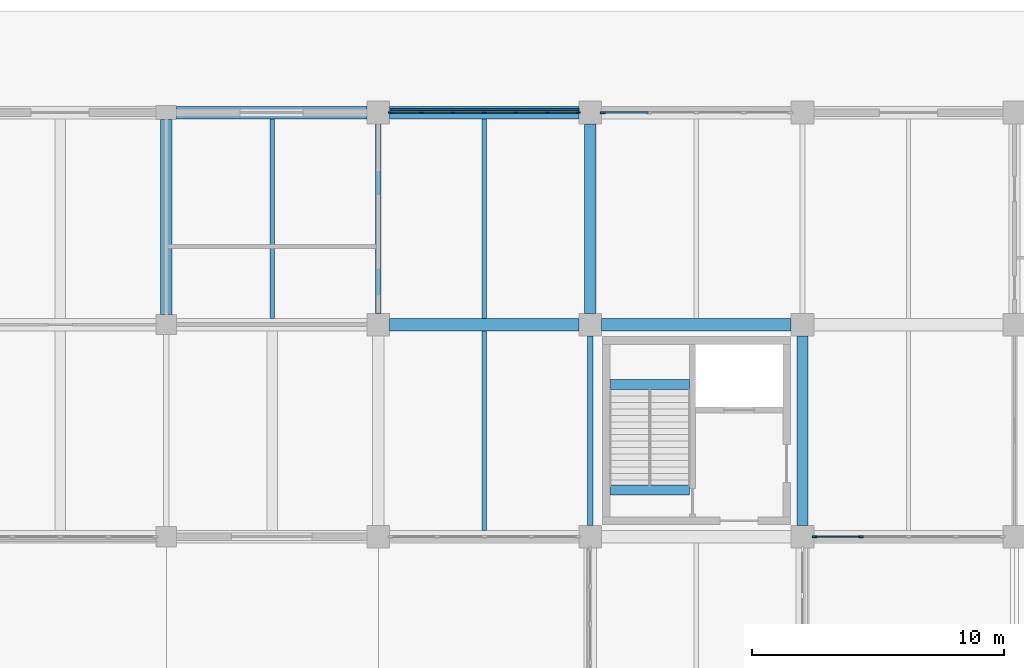
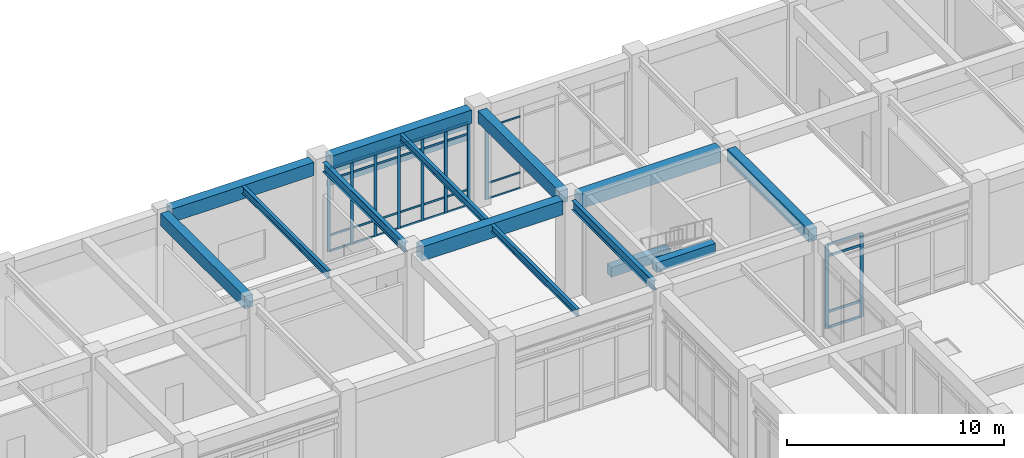
# One storey, part 23 of 91: 43 members, 14 beams, 3 elements without a shape of their own.
"""IFC4 building model written with IfcOpenShell, lengths in metres."""

from ifc_helpers import new_model, si_unit, direction, frame, origin, origin_2d, place, context, subcontext, project, spatial, rectangle, i_section, extrude, material, layer, layer_set, material_profile, profile_set, type_object, element, aggregate, save


model = new_model("IFC4")

# Units and contexts
model_context = context("Model", 3, precision=1e-05, world=origin(), true_north=direction((0.0, 1.0)))
body_context = subcontext(model_context, "Body", "Model", "MODEL_VIEW")
ifc_project = project(units=[si_unit("LENGTHUNIT", "METRE"), si_unit("AREAUNIT", "SQUARE_METRE"), si_unit("VOLUMEUNIT", "CUBIC_METRE"), si_unit("PLANEANGLEUNIT", "RADIAN"), si_unit("MASSUNIT", "GRAM", prefix="KILO")], contexts=[model_context])

# Site, building, storey
site_placement = place(None, origin())
site = spatial("IfcSite", under=ifc_project, at=site_placement, CompositionType="ELEMENT")
building_placement = place(site_placement, origin())
building = spatial("IfcBuilding", under=site, at=building_placement, Name="Porcellanite Civic Hall", CompositionType="ELEMENT")
storey_placement = place(building_placement, origin())
storey = spatial("IfcBuildingStorey", under=building, at=storey_placement, Name="L00", CompositionType="ELEMENT", Elevation=0.0)

# Beams
ifc_material_1 = material(Name="Concrete N50 (50 MPa)", Category="concrete")
ifc_material_profile_1 = material_profile(ifc_material_1, rectangle(XDim=0.39990234375, YDim=0.550048828125, at=origin_2d()), Name="RC-400x550")
ifc_profile_set_1 = profile_set([ifc_material_profile_1], Name="Concrete N50 (50 MPa)")
beam_type_1 = type_object("IfcBeamType", Name="BM-RC550", PredefinedType="JOIST", material=ifc_profile_set_1)
for number, where, z_axis, x_axis, name in (
    (1, (51.180419921875, 106.824951171875, 2.425048828125), (1.0, 0.0, 0.0), (0.0, 1.0, 0.0), "Stair landing beam C3 L00"),
    (2, (51.180419921875, 102.64990234375, 5.22509765625), (1.0, 0.0, 0.0), (0.0, 1.0, 0.0), "Stair header beam C3 L00"),
):
    element("IfcBeam", number, at=place(storey_placement, frame(where, z_axis=z_axis, x_axis=x_axis)), inside=storey, type_object=beam_type_1, Name=name, PredefinedType="JOIST", context=body_context, shape_type="SweptSolid", body=[
        extrude(rectangle(XDim=0.39990234375, YDim=0.550048828125, at=origin_2d()), origin(), (0.0, 0.0, 1.0), 3.13916015625),
    ])
ifc_material_2 = material(Name="Concrete N50 (50 MPa)", Category="concrete")
ifc_material_profile_2 = material_profile(ifc_material_2, rectangle(XDim=0.449951171875, YDim=0.699951171875, at=origin_2d()), Name="RC-450x700")
ifc_profile_set_2 = profile_set([ifc_material_profile_2], Name="Concrete N50 (50 MPa)")
beam_type_2 = type_object("IfcBeamType", Name="BM-RC700", PredefinedType="BEAM", material=ifc_profile_set_2)
beam_1_placement = place(storey_placement, frame((33.60009765625, 109.599609375, 5.14990234375), z_axis=(0.0, 1.0, 0.0), x_axis=(-1.0, 0.0, 0.0)))
element("IfcBeam", 3, at=beam_1_placement, inside=storey, type_object=beam_type_2, Name="Beam Y L00 5-14", PredefinedType="BEAM", context=body_context, shape_type="SweptSolid", body=[
    extrude(rectangle(XDim=0.449951171875, YDim=0.699951171875, at=origin_2d()), origin(), (0.0, 0.0, 1.0), 7.725830078125),
])
for number, where, z_axis, x_axis, name in (
    (4, (50.39990234375, 109.6494140625, 5.14990234375), (0.0, 1.0, 0.0), (-1.0, 0.0, 0.0), "Beam Y L00 7-14"),
    (5, (58.800048828125, 101.24951171875, 5.14990234375), (0.0, 1.0, 0.0), (-1.0, 0.0, 0.0), "Beam Y L00 8-13"),
):
    element("IfcBeam", number, at=place(storey_placement, frame(where, z_axis=z_axis, x_axis=x_axis)), inside=storey, type_object=beam_type_2, Name=name, PredefinedType="BEAM", context=body_context, shape_type="SweptSolid", body=[
        extrude(rectangle(XDim=0.449951171875, YDim=0.699951171875, at=origin_2d()), origin(), (0.0, 0.0, 1.0), 7.5009765625),
    ])
ifc_material_3 = material(Name="Concrete N50 (50 MPa)", Category="concrete")
ifc_material_profile_3 = material_profile(ifc_material_3, rectangle(XDim=0.5, YDim=0.75, at=origin_2d()), Name="RC-500x750")
ifc_profile_set_3 = profile_set([ifc_material_profile_3], Name="Concrete N50 (50 MPa)")
beam_type_3 = type_object("IfcBeamType", Name="BM-RC750", PredefinedType="SPANDREL", material=ifc_profile_set_3)
beam_2_placement = place(storey_placement, frame((33.99951171875, 117.60009765625, 5.125), z_axis=(1.0, 0.0, 0.0), x_axis=(0.0, 1.0, 0.0)))
element("IfcBeam", 6, at=beam_2_placement, inside=storey, type_object=beam_type_3, Name="Beam X L00 5-15", PredefinedType="SPANDREL", context=body_context, shape_type="SweptSolid", body=[
    extrude(rectangle(XDim=0.5, YDim=0.75, at=origin_2d()), origin(), (0.0, 0.0, 1.0), 7.551025390625),
])
beam_3_placement = place(storey_placement, frame((42.449462890625, 117.60009765625, 5.125), z_axis=(1.0, 0.0, 0.0), x_axis=(0.0, 1.0, 0.0)))
element("IfcBeam", 7, at=beam_3_placement, inside=storey, type_object=beam_type_3, Name="Beam X L00 6-15", PredefinedType="SPANDREL", context=body_context, shape_type="SweptSolid", body=[
    extrude(rectangle(XDim=0.5, YDim=0.75, at=origin_2d()), origin(), (0.0, 0.0, 1.0), 7.5009765625),
])
ifc_material_4 = material(Name="Concrete N50 (50 MPa)", Category="concrete")
ifc_material_profile_4 = material_profile(ifc_material_4, rectangle(XDim=0.5, YDim=0.800048828125, at=origin_2d()), Name="RC-500x800")
ifc_profile_set_4 = profile_set([ifc_material_profile_4], Name="Concrete N50 (50 MPa)")
beam_type_4 = type_object("IfcBeamType", Name="BM-RC800", PredefinedType="BEAM", material=ifc_profile_set_4)
for number, where, z_axis, x_axis, name in (
    (8, (42.449462890625, 109.199951171875, 5.10009765625), (1.0, 0.0, 0.0), (0.0, 1.0, 0.0), "Beam X L00 6-14"),
    (9, (50.849609375, 109.199951171875, 5.10009765625), (1.0, 0.0, 0.0), (0.0, 1.0, 0.0), "Beam X L00 7-14"),
):
    element("IfcBeam", number, at=place(storey_placement, frame(where, z_axis=z_axis, x_axis=x_axis)), inside=storey, type_object=beam_type_4, Name=name, PredefinedType="BEAM", context=body_context, shape_type="SweptSolid", body=[
        extrude(rectangle(XDim=0.5, YDim=0.800048828125, at=origin_2d()), origin(), (0.0, 0.0, 1.0), 7.5009765625),
    ])

# Curtain wall, member
ifc_material_5 = material(Name="Anodised aluminium and solar laminated glass", Category="aluminium")
ifc_layer_1 = layer(ifc_material_5, 0.179931640625)
ifc_layer_set_1 = layer_set([ifc_layer_1], Name="Anodised aluminium and solar laminated glass")
curtain_wall_type_1 = type_object("IfcCurtainWallType", Name="CW-SYS04", PredefinedType="NOTDEFINED", material=ifc_layer_set_1)
curtain_wall_1_placement = place(storey_placement, origin())
curtain_wall_1 = element("IfcCurtainWall", 10, at=curtain_wall_1_placement, inside=storey, type_object=curtain_wall_type_1, Name="Curtain wall CW-025", PredefinedType="NOTDEFINED")
ifc_material_6 = material(Name="Anodised aluminium 6063-T6", Category="aluminium")
ifc_material_profile_5 = material_profile(ifc_material_6, rectangle(XDim=0.074951171875, YDim=0.18994140625, at=origin_2d()), Name="AL-75x190")
ifc_profile_set_5 = profile_set([ifc_material_profile_5], Name="Anodised aluminium 6063-T6")
member_type_1 = type_object("IfcMemberType", Name="CWM-04", PredefinedType="MULLION", material=ifc_profile_set_5)
member_1_placement = place(storey_placement, frame((50.888427734375, 117.60009765625, 0.0), z_axis=(0.0, 0.0, 1.0), x_axis=(0.0, 1.0, 0.0)))
member_1 = element("IfcMember", 11, at=member_1_placement, type_object=member_type_1, Name="CW-025 mullion 1", PredefinedType="MULLION", context=body_context, shape_type="SweptSolid", body=[
    extrude(rectangle(XDim=0.074951171875, YDim=0.18994140625, at=origin_2d()), origin(), (0.0, 0.0, 1.0), 4.699951171875),
])

# Curtain wall, members
ifc_material_7 = material(Name="Anodised aluminium and solar laminated glass", Category="aluminium")
ifc_layer_2 = layer(ifc_material_7, 0.179931640625)
ifc_layer_set_2 = layer_set([ifc_layer_2], Name="Anodised aluminium and solar laminated glass")
curtain_wall_type_2 = type_object("IfcCurtainWallType", Name="CW-SYS06", PredefinedType="NOTDEFINED", material=ifc_layer_set_2)
curtain_wall_2_placement = place(storey_placement, origin())
curtain_wall_2 = element("IfcCurtainWall", 12, at=curtain_wall_2_placement, inside=storey, type_object=curtain_wall_type_2, Name="Curtain wall CW-026", PredefinedType="NOTDEFINED")
ifc_material_8 = material(Name="Anodised aluminium 6063-T6", Category="aluminium")
ifc_material_profile_6 = material_profile(ifc_material_8, rectangle(XDim=0.06494140625, YDim=0.179931640625, at=origin_2d()), Name="AL-65x180")
ifc_profile_set_6 = profile_set([ifc_material_profile_6], Name="Anodised aluminium 6063-T6")
member_type_2 = type_object("IfcMemberType", Name="CWM-06", PredefinedType="MULLION", material=ifc_profile_set_6)
member_2_placement = place(storey_placement, frame((61.12548828125, 100.800048828125, 0.0), z_axis=(0.0, 0.0, 1.0), x_axis=(0.0, -1.0, 0.0)))
member_2 = element("IfcMember", 13, at=member_2_placement, type_object=member_type_2, Name="CW-026 mullion 4", PredefinedType="MULLION", context=body_context, shape_type="SweptSolid", body=[
    extrude(rectangle(XDim=0.06494140625, YDim=0.179931640625, at=origin_2d()), origin(), (0.0, 0.0, 1.0), 4.699951171875),
])
member_3_placement = place(storey_placement, frame((59.283447265625, 100.800048828125, 0.0), z_axis=(0.0, 0.0, 1.0), x_axis=(0.0, -1.0, 0.0)))
member_3 = element("IfcMember", 14, at=member_3_placement, type_object=member_type_2, Name="CW-026 mullion 5", PredefinedType="MULLION", context=body_context, shape_type="SweptSolid", body=[
    extrude(rectangle(XDim=0.06494140625, YDim=0.179931640625, at=origin_2d()), origin(), (0.0, 0.0, 1.0), 4.699951171875),
])

ifc_material_9 = material(Name="Anodised aluminium and solar laminated glass", Category="aluminium")
ifc_layer_3 = layer(ifc_material_9, 0.179931640625)
ifc_layer_set_3 = layer_set([ifc_layer_3], Name="Anodised aluminium and solar laminated glass")
curtain_wall_type_3 = type_object("IfcCurtainWallType", Name="CW-SYS07", PredefinedType="NOTDEFINED", material=ifc_layer_set_3)
curtain_wall_3_placement = place(storey_placement, origin())
curtain_wall_3 = element("IfcCurtainWall", 15, at=curtain_wall_3_placement, inside=storey, type_object=curtain_wall_type_3, Name="Curtain wall CW-015", PredefinedType="NOTDEFINED")
ifc_material_10 = material(Name="Anodised aluminium 6063-T6", Category="aluminium")
ifc_material_profile_7 = material_profile(ifc_material_10, rectangle(XDim=0.06005859375, YDim=0.159912109375, at=origin_2d()), Name="AL-60x160")
ifc_profile_set_7 = profile_set([ifc_material_profile_7], Name="Anodised aluminium 6063-T6")
member_type_3 = type_object("IfcMemberType", Name="CWM-07", PredefinedType="MULLION", material=ifc_profile_set_7)
member_4_placement = place(storey_placement, frame((42.48095703125, 117.60009765625, 0.0), z_axis=(0.0, 0.0, 1.0), x_axis=(0.0, 1.0, 0.0)))
member_4 = element("IfcMember", 16, at=member_4_placement, type_object=member_type_3, Name="CW-015 mullion 1", PredefinedType="MULLION", context=body_context, shape_type="SweptSolid", body=[
    extrude(rectangle(XDim=0.06005859375, YDim=0.159912109375, at=origin_2d()), origin(), (0.0, 0.0, 1.0), 4.699951171875),
])
member_5_placement = place(storey_placement, frame((43.70068359375, 117.60009765625, 0.0), z_axis=(0.0, 0.0, 1.0), x_axis=(0.0, 1.0, 0.0)))
member_5 = element("IfcMember", 17, at=member_5_placement, type_object=member_type_3, Name="CW-015 mullion 2", PredefinedType="MULLION", context=body_context, shape_type="SweptSolid", body=[
    extrude(rectangle(XDim=0.06005859375, YDim=0.159912109375, at=origin_2d()), origin(), (0.0, 0.0, 1.0), 4.699951171875),
])
member_6_placement = place(storey_placement, frame((44.950439453125, 117.60009765625, 0.0), z_axis=(0.0, 0.0, 1.0), x_axis=(0.0, 1.0, 0.0)))
member_6 = element("IfcMember", 18, at=member_6_placement, type_object=member_type_3, Name="CW-015 mullion 3", PredefinedType="MULLION", context=body_context, shape_type="SweptSolid", body=[
    extrude(rectangle(XDim=0.06005859375, YDim=0.159912109375, at=origin_2d()), origin(), (0.0, 0.0, 1.0), 4.699951171875),
])
member_7_placement = place(storey_placement, frame((46.199951171875, 117.60009765625, 0.0), z_axis=(0.0, 0.0, 1.0), x_axis=(0.0, 1.0, 0.0)))
member_7 = element("IfcMember", 19, at=member_7_placement, type_object=member_type_3, Name="CW-015 mullion 4", PredefinedType="MULLION", context=body_context, shape_type="SweptSolid", body=[
    extrude(rectangle(XDim=0.06005859375, YDim=0.159912109375, at=origin_2d()), origin(), (0.0, 0.0, 1.0), 4.699951171875),
])
member_8_placement = place(storey_placement, frame((47.44970703125, 117.60009765625, 0.0), z_axis=(0.0, 0.0, 1.0), x_axis=(0.0, 1.0, 0.0)))
member_8 = element("IfcMember", 20, at=member_8_placement, type_object=member_type_3, Name="CW-015 mullion 5", PredefinedType="MULLION", context=body_context, shape_type="SweptSolid", body=[
    extrude(rectangle(XDim=0.06005859375, YDim=0.159912109375, at=origin_2d()), origin(), (0.0, 0.0, 1.0), 4.699951171875),
])
member_9_placement = place(storey_placement, frame((48.69921875, 117.60009765625, 0.0), z_axis=(0.0, 0.0, 1.0), x_axis=(0.0, 1.0, 0.0)))
member_9 = element("IfcMember", 21, at=member_9_placement, type_object=member_type_3, Name="CW-015 mullion 6", PredefinedType="MULLION", context=body_context, shape_type="SweptSolid", body=[
    extrude(rectangle(XDim=0.06005859375, YDim=0.159912109375, at=origin_2d()), origin(), (0.0, 0.0, 1.0), 4.699951171875),
])
member_10_placement = place(storey_placement, frame((49.9189453125, 117.60009765625, 0.0), z_axis=(0.0, 0.0, 1.0), x_axis=(0.0, 1.0, 0.0)))
member_10 = element("IfcMember", 22, at=member_10_placement, type_object=member_type_3, Name="CW-015 mullion 7", PredefinedType="MULLION", context=body_context, shape_type="SweptSolid", body=[
    extrude(rectangle(XDim=0.06005859375, YDim=0.159912109375, at=origin_2d()), origin(), (0.0, 0.0, 1.0), 4.699951171875),
])

# Member
ifc_material_11 = material(Name="Anodised aluminium 6063-T6", Category="aluminium")
ifc_material_profile_8 = material_profile(ifc_material_11, rectangle(XDim=0.054931640625, YDim=0.10009765625, at=origin_2d()), Name="AL-55x100")
ifc_profile_set_8 = profile_set([ifc_material_profile_8], Name="Anodised aluminium 6063-T6")
member_type_4 = type_object("IfcMemberType", Name="CWT-05", PredefinedType="USERDEFINED", material=ifc_profile_set_8)
member_11_placement = place(storey_placement, frame((50.926025390625, 117.60009765625, 0.027587890625), z_axis=(1.0, 0.0, 0.0), x_axis=(0.0, 1.0, 0.0)))
member_11 = element("IfcMember", 23, at=member_11_placement, type_object=member_type_4, Name="CW-025 transom 1.1", ObjectType="TRANSOM", PredefinedType="USERDEFINED", context=body_context, shape_type="SweptSolid", body=[
    extrude(rectangle(XDim=0.054931640625, YDim=0.10009765625, at=origin_2d()), origin(), (0.0, 0.0, 1.0), 1.761962890625),
])

member_12_placement = place(storey_placement, frame((50.926025390625, 117.60009765625, 0.89990234375), z_axis=(1.0, 0.0, 0.0), x_axis=(0.0, 1.0, 0.0)))
member_12 = element("IfcMember", 24, at=member_12_placement, type_object=member_type_4, Name="CW-025 transom 1.2", ObjectType="TRANSOM", PredefinedType="USERDEFINED", context=body_context, shape_type="SweptSolid", body=[
    extrude(rectangle(XDim=0.054931640625, YDim=0.10009765625, at=origin_2d()), origin(), (0.0, 0.0, 1.0), 1.761962890625),
])

member_13_placement = place(storey_placement, frame((50.926025390625, 117.60009765625, 4.050048828125), z_axis=(1.0, 0.0, 0.0), x_axis=(0.0, 1.0, 0.0)))
member_13 = element("IfcMember", 25, at=member_13_placement, type_object=member_type_4, Name="CW-025 transom 1.3", ObjectType="TRANSOM", PredefinedType="USERDEFINED", context=body_context, shape_type="SweptSolid", body=[
    extrude(rectangle(XDim=0.054931640625, YDim=0.10009765625, at=origin_2d()), origin(), (0.0, 0.0, 1.0), 1.761962890625),
])

aggregate(curtain_wall_1, [member_1, member_11, member_12, member_13])

ifc_material_12 = material(Name="Anodised aluminium 6063-T6", Category="aluminium")
ifc_material_profile_9 = material_profile(ifc_material_12, rectangle(XDim=0.050048828125, YDim=0.139892578125, at=origin_2d()), Name="AL-50x140")
ifc_profile_set_9 = profile_set([ifc_material_profile_9], Name="Anodised aluminium 6063-T6")
member_type_5 = type_object("IfcMemberType", Name="CWT-06", PredefinedType="USERDEFINED", material=ifc_profile_set_9)
member_14_placement = place(storey_placement, frame((61.093017578125, 100.800048828125, 0.02490234375), z_axis=(-1.0, 0.0, 0.0), x_axis=(0.0, -1.0, 0.0)))
member_14 = element("IfcMember", 26, at=member_14_placement, type_object=member_type_5, Name="CW-026 transom 4.1", ObjectType="TRANSOM", PredefinedType="USERDEFINED", context=body_context, shape_type="SweptSolid", body=[
    extrude(rectangle(XDim=0.050048828125, YDim=0.139892578125, at=origin_2d()), origin(), (0.0, 0.0, 1.0), 1.777099609375),
])

member_15_placement = place(storey_placement, frame((61.093017578125, 100.800048828125, 0.89990234375), z_axis=(-1.0, 0.0, 0.0), x_axis=(0.0, -1.0, 0.0)))
member_15 = element("IfcMember", 27, at=member_15_placement, type_object=member_type_5, Name="CW-026 transom 4.2", ObjectType="TRANSOM", PredefinedType="USERDEFINED", context=body_context, shape_type="SweptSolid", body=[
    extrude(rectangle(XDim=0.050048828125, YDim=0.139892578125, at=origin_2d()), origin(), (0.0, 0.0, 1.0), 1.777099609375),
])

member_16_placement = place(storey_placement, frame((61.093017578125, 100.800048828125, 4.050048828125), z_axis=(-1.0, 0.0, 0.0), x_axis=(0.0, -1.0, 0.0)))
member_16 = element("IfcMember", 28, at=member_16_placement, type_object=member_type_5, Name="CW-026 transom 4.3", ObjectType="TRANSOM", PredefinedType="USERDEFINED", context=body_context, shape_type="SweptSolid", body=[
    extrude(rectangle(XDim=0.050048828125, YDim=0.139892578125, at=origin_2d()), origin(), (0.0, 0.0, 1.0), 1.777099609375),
])

member_17_placement = place(storey_placement, frame((61.093017578125, 100.800048828125, 4.675048828125), z_axis=(-1.0, 0.0, 0.0), x_axis=(0.0, -1.0, 0.0)))
member_17 = element("IfcMember", 29, at=member_17_placement, type_object=member_type_5, Name="CW-026 transom 4.4", ObjectType="TRANSOM", PredefinedType="USERDEFINED", context=body_context, shape_type="SweptSolid", body=[
    extrude(rectangle(XDim=0.050048828125, YDim=0.139892578125, at=origin_2d()), origin(), (0.0, 0.0, 1.0), 1.777099609375),
])

aggregate(curtain_wall_2, [member_2, member_3, member_14, member_15, member_16, member_17])

ifc_material_13 = material(Name="Anodised aluminium 6063-T6", Category="aluminium")
ifc_material_profile_10 = material_profile(ifc_material_13, rectangle(XDim=0.050048828125, YDim=0.110107421875, at=origin_2d()), Name="AL-50x110")
ifc_profile_set_10 = profile_set([ifc_material_profile_10], Name="Anodised aluminium 6063-T6")
member_type_6 = type_object("IfcMemberType", Name="CWT-07", PredefinedType="USERDEFINED", material=ifc_profile_set_10)
member_18_placement = place(storey_placement, frame((42.510986328125, 117.60009765625, 0.02490234375), z_axis=(1.0, 0.0, 0.0), x_axis=(0.0, 1.0, 0.0)))
member_18 = element("IfcMember", 30, at=member_18_placement, type_object=member_type_6, Name="CW-015 transom 1.1", ObjectType="TRANSOM", PredefinedType="USERDEFINED", context=body_context, shape_type="SweptSolid", body=[
    extrude(rectangle(XDim=0.050048828125, YDim=0.110107421875, at=origin_2d()), origin(), (0.0, 0.0, 1.0), 1.15966796875),
])

member_19_placement = place(storey_placement, frame((42.510986328125, 117.60009765625, 0.89990234375), z_axis=(1.0, 0.0, 0.0), x_axis=(0.0, 1.0, 0.0)))
member_19 = element("IfcMember", 31, at=member_19_placement, type_object=member_type_6, Name="CW-015 transom 1.2", ObjectType="TRANSOM", PredefinedType="USERDEFINED", context=body_context, shape_type="SweptSolid", body=[
    extrude(rectangle(XDim=0.050048828125, YDim=0.110107421875, at=origin_2d()), origin(), (0.0, 0.0, 1.0), 1.15966796875),
])

member_20_placement = place(storey_placement, frame((42.510986328125, 117.60009765625, 4.050048828125), z_axis=(1.0, 0.0, 0.0), x_axis=(0.0, 1.0, 0.0)))
member_20 = element("IfcMember", 32, at=member_20_placement, type_object=member_type_6, Name="CW-015 transom 1.3", ObjectType="TRANSOM", PredefinedType="USERDEFINED", context=body_context, shape_type="SweptSolid", body=[
    extrude(rectangle(XDim=0.050048828125, YDim=0.110107421875, at=origin_2d()), origin(), (0.0, 0.0, 1.0), 1.15966796875),
])

member_21_placement = place(storey_placement, frame((42.510986328125, 117.60009765625, 4.675048828125), z_axis=(1.0, 0.0, 0.0), x_axis=(0.0, 1.0, 0.0)))
member_21 = element("IfcMember", 33, at=member_21_placement, type_object=member_type_6, Name="CW-015 transom 1.4", ObjectType="TRANSOM", PredefinedType="USERDEFINED", context=body_context, shape_type="SweptSolid", body=[
    extrude(rectangle(XDim=0.050048828125, YDim=0.110107421875, at=origin_2d()), origin(), (0.0, 0.0, 1.0), 1.15966796875),
])

member_22_placement = place(storey_placement, frame((43.730712890625, 117.60009765625, 0.02490234375), z_axis=(1.0, 0.0, 0.0), x_axis=(0.0, 1.0, 0.0)))
member_22 = element("IfcMember", 34, at=member_22_placement, type_object=member_type_6, Name="CW-015 transom 2.1", ObjectType="TRANSOM", PredefinedType="USERDEFINED", context=body_context, shape_type="SweptSolid", body=[
    extrude(rectangle(XDim=0.050048828125, YDim=0.110107421875, at=origin_2d()), origin(), (0.0, 0.0, 1.0), 1.189697265625),
])

member_23_placement = place(storey_placement, frame((43.730712890625, 117.60009765625, 0.89990234375), z_axis=(1.0, 0.0, 0.0), x_axis=(0.0, 1.0, 0.0)))
member_23 = element("IfcMember", 35, at=member_23_placement, type_object=member_type_6, Name="CW-015 transom 2.2", ObjectType="TRANSOM", PredefinedType="USERDEFINED", context=body_context, shape_type="SweptSolid", body=[
    extrude(rectangle(XDim=0.050048828125, YDim=0.110107421875, at=origin_2d()), origin(), (0.0, 0.0, 1.0), 1.189697265625),
])

member_24_placement = place(storey_placement, frame((43.730712890625, 117.60009765625, 4.050048828125), z_axis=(1.0, 0.0, 0.0), x_axis=(0.0, 1.0, 0.0)))
member_24 = element("IfcMember", 36, at=member_24_placement, type_object=member_type_6, Name="CW-015 transom 2.3", ObjectType="TRANSOM", PredefinedType="USERDEFINED", context=body_context, shape_type="SweptSolid", body=[
    extrude(rectangle(XDim=0.050048828125, YDim=0.110107421875, at=origin_2d()), origin(), (0.0, 0.0, 1.0), 1.189697265625),
])

member_25_placement = place(storey_placement, frame((43.730712890625, 117.60009765625, 4.675048828125), z_axis=(1.0, 0.0, 0.0), x_axis=(0.0, 1.0, 0.0)))
member_25 = element("IfcMember", 37, at=member_25_placement, type_object=member_type_6, Name="CW-015 transom 2.4", ObjectType="TRANSOM", PredefinedType="USERDEFINED", context=body_context, shape_type="SweptSolid", body=[
    extrude(rectangle(XDim=0.050048828125, YDim=0.110107421875, at=origin_2d()), origin(), (0.0, 0.0, 1.0), 1.189697265625),
])

member_26_placement = place(storey_placement, frame((44.980224609375, 117.60009765625, 0.02490234375), z_axis=(1.0, 0.0, 0.0), x_axis=(0.0, 1.0, 0.0)))
member_26 = element("IfcMember", 38, at=member_26_placement, type_object=member_type_6, Name="CW-015 transom 3.1", ObjectType="TRANSOM", PredefinedType="USERDEFINED", context=body_context, shape_type="SweptSolid", body=[
    extrude(rectangle(XDim=0.050048828125, YDim=0.110107421875, at=origin_2d()), origin(), (0.0, 0.0, 1.0), 1.189697265625),
])

member_27_placement = place(storey_placement, frame((44.980224609375, 117.60009765625, 0.89990234375), z_axis=(1.0, 0.0, 0.0), x_axis=(0.0, 1.0, 0.0)))
member_27 = element("IfcMember", 39, at=member_27_placement, type_object=member_type_6, Name="CW-015 transom 3.2", ObjectType="TRANSOM", PredefinedType="USERDEFINED", context=body_context, shape_type="SweptSolid", body=[
    extrude(rectangle(XDim=0.050048828125, YDim=0.110107421875, at=origin_2d()), origin(), (0.0, 0.0, 1.0), 1.189697265625),
])

member_28_placement = place(storey_placement, frame((44.980224609375, 117.60009765625, 4.050048828125), z_axis=(1.0, 0.0, 0.0), x_axis=(0.0, 1.0, 0.0)))
member_28 = element("IfcMember", 40, at=member_28_placement, type_object=member_type_6, Name="CW-015 transom 3.3", ObjectType="TRANSOM", PredefinedType="USERDEFINED", context=body_context, shape_type="SweptSolid", body=[
    extrude(rectangle(XDim=0.050048828125, YDim=0.110107421875, at=origin_2d()), origin(), (0.0, 0.0, 1.0), 1.189697265625),
])

member_29_placement = place(storey_placement, frame((44.980224609375, 117.60009765625, 4.675048828125), z_axis=(1.0, 0.0, 0.0), x_axis=(0.0, 1.0, 0.0)))
member_29 = element("IfcMember", 41, at=member_29_placement, type_object=member_type_6, Name="CW-015 transom 3.4", ObjectType="TRANSOM", PredefinedType="USERDEFINED", context=body_context, shape_type="SweptSolid", body=[
    extrude(rectangle(XDim=0.050048828125, YDim=0.110107421875, at=origin_2d()), origin(), (0.0, 0.0, 1.0), 1.189697265625),
])

member_30_placement = place(storey_placement, frame((46.22998046875, 117.60009765625, 0.02490234375), z_axis=(1.0, 0.0, 0.0), x_axis=(0.0, 1.0, 0.0)))
member_30 = element("IfcMember", 42, at=member_30_placement, type_object=member_type_6, Name="CW-015 transom 4.1", ObjectType="TRANSOM", PredefinedType="USERDEFINED", context=body_context, shape_type="SweptSolid", body=[
    extrude(rectangle(XDim=0.050048828125, YDim=0.110107421875, at=origin_2d()), origin(), (0.0, 0.0, 1.0), 1.189697265625),
])

member_31_placement = place(storey_placement, frame((46.22998046875, 117.60009765625, 0.89990234375), z_axis=(1.0, 0.0, 0.0), x_axis=(0.0, 1.0, 0.0)))
member_31 = element("IfcMember", 43, at=member_31_placement, type_object=member_type_6, Name="CW-015 transom 4.2", ObjectType="TRANSOM", PredefinedType="USERDEFINED", context=body_context, shape_type="SweptSolid", body=[
    extrude(rectangle(XDim=0.050048828125, YDim=0.110107421875, at=origin_2d()), origin(), (0.0, 0.0, 1.0), 1.189697265625),
])

member_32_placement = place(storey_placement, frame((46.22998046875, 117.60009765625, 4.050048828125), z_axis=(1.0, 0.0, 0.0), x_axis=(0.0, 1.0, 0.0)))
member_32 = element("IfcMember", 44, at=member_32_placement, type_object=member_type_6, Name="CW-015 transom 4.3", ObjectType="TRANSOM", PredefinedType="USERDEFINED", context=body_context, shape_type="SweptSolid", body=[
    extrude(rectangle(XDim=0.050048828125, YDim=0.110107421875, at=origin_2d()), origin(), (0.0, 0.0, 1.0), 1.189697265625),
])

member_33_placement = place(storey_placement, frame((46.22998046875, 117.60009765625, 4.675048828125), z_axis=(1.0, 0.0, 0.0), x_axis=(0.0, 1.0, 0.0)))
member_33 = element("IfcMember", 45, at=member_33_placement, type_object=member_type_6, Name="CW-015 transom 4.4", ObjectType="TRANSOM", PredefinedType="USERDEFINED", context=body_context, shape_type="SweptSolid", body=[
    extrude(rectangle(XDim=0.050048828125, YDim=0.110107421875, at=origin_2d()), origin(), (0.0, 0.0, 1.0), 1.189697265625),
])

member_34_placement = place(storey_placement, frame((47.479736328125, 117.60009765625, 0.02490234375), z_axis=(1.0, 0.0, 0.0), x_axis=(0.0, 1.0, 0.0)))
member_34 = element("IfcMember", 46, at=member_34_placement, type_object=member_type_6, Name="CW-015 transom 5.1", ObjectType="TRANSOM", PredefinedType="USERDEFINED", context=body_context, shape_type="SweptSolid", body=[
    extrude(rectangle(XDim=0.050048828125, YDim=0.110107421875, at=origin_2d()), origin(), (0.0, 0.0, 1.0), 1.189697265625),
])

member_35_placement = place(storey_placement, frame((47.479736328125, 117.60009765625, 0.89990234375), z_axis=(1.0, 0.0, 0.0), x_axis=(0.0, 1.0, 0.0)))
member_35 = element("IfcMember", 47, at=member_35_placement, type_object=member_type_6, Name="CW-015 transom 5.2", ObjectType="TRANSOM", PredefinedType="USERDEFINED", context=body_context, shape_type="SweptSolid", body=[
    extrude(rectangle(XDim=0.050048828125, YDim=0.110107421875, at=origin_2d()), origin(), (0.0, 0.0, 1.0), 1.189697265625),
])

member_36_placement = place(storey_placement, frame((47.479736328125, 117.60009765625, 4.050048828125), z_axis=(1.0, 0.0, 0.0), x_axis=(0.0, 1.0, 0.0)))
member_36 = element("IfcMember", 48, at=member_36_placement, type_object=member_type_6, Name="CW-015 transom 5.3", ObjectType="TRANSOM", PredefinedType="USERDEFINED", context=body_context, shape_type="SweptSolid", body=[
    extrude(rectangle(XDim=0.050048828125, YDim=0.110107421875, at=origin_2d()), origin(), (0.0, 0.0, 1.0), 1.189697265625),
])

member_37_placement = place(storey_placement, frame((47.479736328125, 117.60009765625, 4.675048828125), z_axis=(1.0, 0.0, 0.0), x_axis=(0.0, 1.0, 0.0)))
member_37 = element("IfcMember", 49, at=member_37_placement, type_object=member_type_6, Name="CW-015 transom 5.4", ObjectType="TRANSOM", PredefinedType="USERDEFINED", context=body_context, shape_type="SweptSolid", body=[
    extrude(rectangle(XDim=0.050048828125, YDim=0.110107421875, at=origin_2d()), origin(), (0.0, 0.0, 1.0), 1.189697265625),
])

member_38_placement = place(storey_placement, frame((48.729248046875, 117.60009765625, 0.02490234375), z_axis=(1.0, 0.0, 0.0), x_axis=(0.0, 1.0, 0.0)))
member_38 = element("IfcMember", 50, at=member_38_placement, type_object=member_type_6, Name="CW-015 transom 6.1", ObjectType="TRANSOM", PredefinedType="USERDEFINED", context=body_context, shape_type="SweptSolid", body=[
    extrude(rectangle(XDim=0.050048828125, YDim=0.110107421875, at=origin_2d()), origin(), (0.0, 0.0, 1.0), 1.15966796875),
])

member_39_placement = place(storey_placement, frame((48.729248046875, 117.60009765625, 0.89990234375), z_axis=(1.0, 0.0, 0.0), x_axis=(0.0, 1.0, 0.0)))
member_39 = element("IfcMember", 51, at=member_39_placement, type_object=member_type_6, Name="CW-015 transom 6.2", ObjectType="TRANSOM", PredefinedType="USERDEFINED", context=body_context, shape_type="SweptSolid", body=[
    extrude(rectangle(XDim=0.050048828125, YDim=0.110107421875, at=origin_2d()), origin(), (0.0, 0.0, 1.0), 1.15966796875),
])

member_40_placement = place(storey_placement, frame((48.729248046875, 117.60009765625, 4.050048828125), z_axis=(1.0, 0.0, 0.0), x_axis=(0.0, 1.0, 0.0)))
member_40 = element("IfcMember", 52, at=member_40_placement, type_object=member_type_6, Name="CW-015 transom 6.3", ObjectType="TRANSOM", PredefinedType="USERDEFINED", context=body_context, shape_type="SweptSolid", body=[
    extrude(rectangle(XDim=0.050048828125, YDim=0.110107421875, at=origin_2d()), origin(), (0.0, 0.0, 1.0), 1.15966796875),
])

member_41_placement = place(storey_placement, frame((48.729248046875, 117.60009765625, 4.675048828125), z_axis=(1.0, 0.0, 0.0), x_axis=(0.0, 1.0, 0.0)))
member_41 = element("IfcMember", 53, at=member_41_placement, type_object=member_type_6, Name="CW-015 transom 6.4", ObjectType="TRANSOM", PredefinedType="USERDEFINED", context=body_context, shape_type="SweptSolid", body=[
    extrude(rectangle(XDim=0.050048828125, YDim=0.110107421875, at=origin_2d()), origin(), (0.0, 0.0, 1.0), 1.15966796875),
])

aggregate(curtain_wall_3, [member_4, member_5, member_6, member_7, member_8, member_9, member_10, member_18, member_19, member_20, member_21, member_22, member_23, member_24, member_25, member_26, member_27, member_28, member_29, member_30, member_31, member_32, member_33, member_34, member_35, member_36, member_37, member_38, member_39, member_40, member_41])

# Beams
ifc_material_14 = material(Name="Steel Grade 350", Category="steel")
ifc_material_profile_11 = material_profile(ifc_material_14, i_section(OverallWidth=0.177978515625, OverallDepth=0.403076171875, WebThickness=0.007568359375, FlangeThickness=0.010986328125, FilletRadius=0.011474609375, at=origin_2d()), Name="410UB53.7")
ifc_profile_set_11 = profile_set([ifc_material_profile_11], Name="Steel Grade 350")
beam_type_5 = type_object("IfcBeamType", Name="JST-410UB54", PredefinedType="JOIST", material=ifc_profile_set_11)
beam_4_placement = place(storey_placement, frame((46.199951171875, 109.449462890625, 5.298583984375), z_axis=(0.0, 1.0, 0.0), x_axis=(-1.0, 0.0, 0.0)))
element("IfcBeam", 54, at=beam_4_placement, inside=storey, type_object=beam_type_5, Name="Secondary joist L00 6-14", PredefinedType="JOIST", context=body_context, shape_type="SweptSolid", body=[
    extrude(i_section(OverallWidth=0.177978515625, OverallDepth=0.403076171875, WebThickness=0.007568359375, FlangeThickness=0.010986328125, FilletRadius=0.011474609375, at=origin_2d()), origin(), (0.0, 0.0, 1.0), 7.901123046875),
])
ifc_material_15 = material(Name="Steel Grade 350", Category="steel")
ifc_material_profile_12 = material_profile(ifc_material_15, i_section(OverallWidth=0.177978515625, OverallDepth=0.406005859375, WebThickness=0.0078125, FlangeThickness=0.0126953125, FilletRadius=0.011474609375, at=origin_2d()), Name="410UB59.7")
ifc_profile_set_12 = profile_set([ifc_material_profile_12], Name="Steel Grade 350")
beam_type_6 = type_object("IfcBeamType", Name="JST-410UB60", PredefinedType="JOIST", material=ifc_profile_set_12)
beam_5_placement = place(storey_placement, frame((37.800048828125, 109.449462890625, 5.297119140625), z_axis=(0.0, 1.0, 0.0), x_axis=(-1.0, 0.0, 0.0)))
element("IfcBeam", 55, at=beam_5_placement, inside=storey, type_object=beam_type_6, Name="Secondary joist L00 5-14", PredefinedType="JOIST", context=body_context, shape_type="SweptSolid", body=[
    extrude(i_section(OverallWidth=0.177978515625, OverallDepth=0.406005859375, WebThickness=0.0078125, FlangeThickness=0.0126953125, FilletRadius=0.011474609375, at=origin_2d()), origin(), (0.0, 0.0, 1.0), 7.901123046875),
])
beam_6_placement = place(storey_placement, frame((46.199951171875, 101.049560546875, 5.297119140625), z_axis=(0.0, 1.0, 0.0), x_axis=(-1.0, 0.0, 0.0)))
element("IfcBeam", 56, at=beam_6_placement, inside=storey, type_object=beam_type_6, Name="Secondary joist L00 6-13", PredefinedType="JOIST", context=body_context, shape_type="SweptSolid", body=[
    extrude(i_section(OverallWidth=0.177978515625, OverallDepth=0.406005859375, WebThickness=0.0078125, FlangeThickness=0.0126953125, FilletRadius=0.011474609375, at=origin_2d()), origin(), (0.0, 0.0, 1.0), 7.90087890625),
])

# Members
ifc_material_16 = material(Name="Fluoropolymer bauxite-red aluminium 6063-T6", Category="aluminium")
ifc_material_profile_13 = material_profile(ifc_material_16, rectangle(XDim=0.074951171875, YDim=0.300048828125, at=origin_2d()), Name="AL-75x300")
ifc_profile_set_13 = profile_set([ifc_material_profile_13], Name="Fluoropolymer bauxite-red aluminium 6063-T6")
member_type_7 = type_object("IfcMemberType", Name="LV-BLD04", PredefinedType="USERDEFINED", material=ifc_profile_set_13)
for number, where, z_axis, x_axis, name in (
    (57, (42.449462890625, 117.719482421875, 4.39990234375), (1.0, 0.0, 0.0), (0.0, 1.0, 0.0), "Cyclone sunshade louvre L00 N 5-13 1"),
    (58, (42.449462890625, 117.719482421875, 3.75), (1.0, 0.0, 0.0), (0.0, 1.0, 0.0), "Cyclone sunshade louvre L00 N 5-13 2"),
):
    element("IfcMember", number, at=place(storey_placement, frame(where, z_axis=z_axis, x_axis=x_axis)), inside=storey, type_object=member_type_7, Name=name, ObjectType="LOUVRE BLADE", PredefinedType="USERDEFINED", context=body_context, shape_type="SweptSolid", body=[
        extrude(rectangle(XDim=0.074951171875, YDim=0.300048828125, at=origin_2d()), origin(), (0.0, 0.0, 1.0), 7.5009765625),
    ])

# Beams
ifc_material_17 = material(Name="Steel Grade 350", Category="steel")
ifc_material_profile_14 = material_profile(ifc_material_17, i_section(OverallWidth=0.208984375, OverallDepth=0.528076171875, WebThickness=0.009521484375, FlangeThickness=0.01318359375, FilletRadius=0.013916015625, at=origin_2d()), Name="530UB82.0")
ifc_profile_set_14 = profile_set([ifc_material_profile_14], Name="Steel Grade 350")
beam_type_7 = type_object("IfcBeamType", Name="RAF-530UB82", PredefinedType="BEAM", material=ifc_profile_set_14)
for number, where, z_axis, x_axis, name in (
    (59, (42.0, 109.6494140625, 5.236083984375), (0.0, 1.0, 0.0), (-1.0, 0.0, 0.0), "Beam Y L00 6-14"),
    (60, (50.39990234375, 101.24951171875, 5.236083984375), (0.0, 1.0, 0.0), (-1.0, 0.0, 0.0), "Beam Y L00 7-13"),
):
    element("IfcBeam", number, at=place(storey_placement, frame(where, z_axis=z_axis, x_axis=x_axis)), inside=storey, type_object=beam_type_7, Name=name, PredefinedType="BEAM", context=body_context, shape_type="SweptSolid", body=[
        extrude(i_section(OverallWidth=0.208984375, OverallDepth=0.528076171875, WebThickness=0.009521484375, FlangeThickness=0.01318359375, FilletRadius=0.013916015625, at=origin_2d()), origin(), (0.0, 0.0, 1.0), 7.5009765625),
    ])

save(model, "model.ifc")
